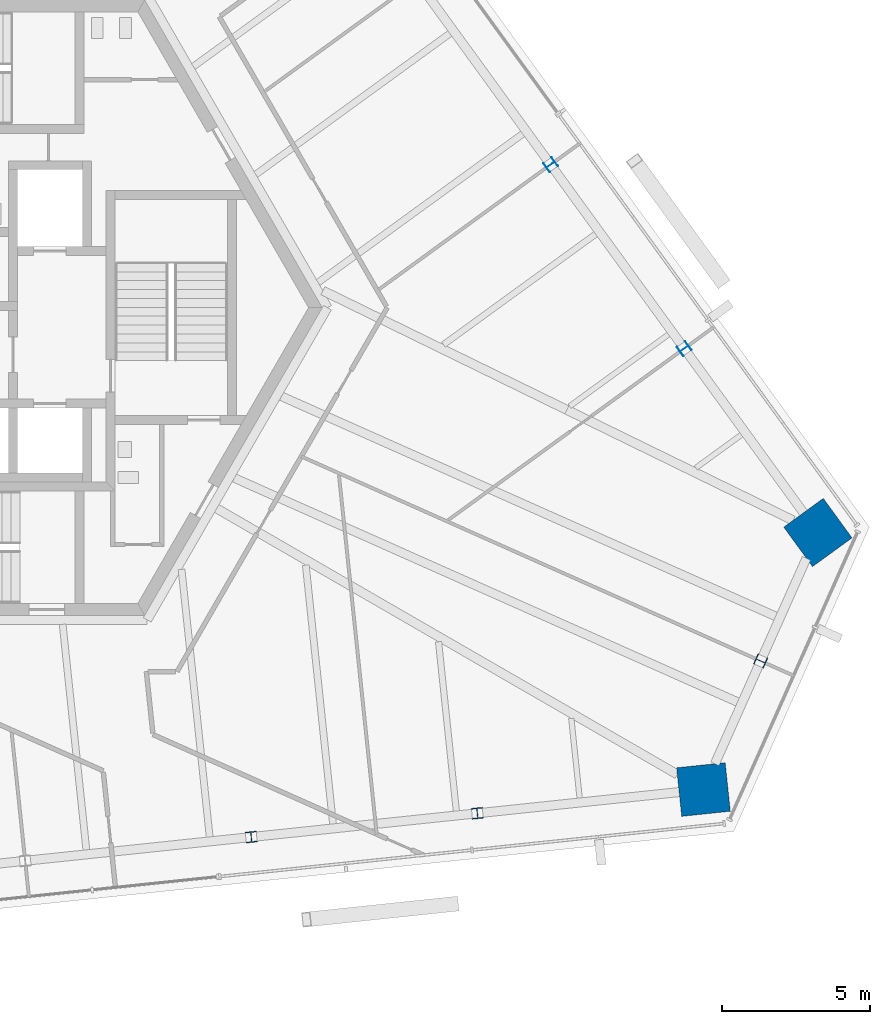
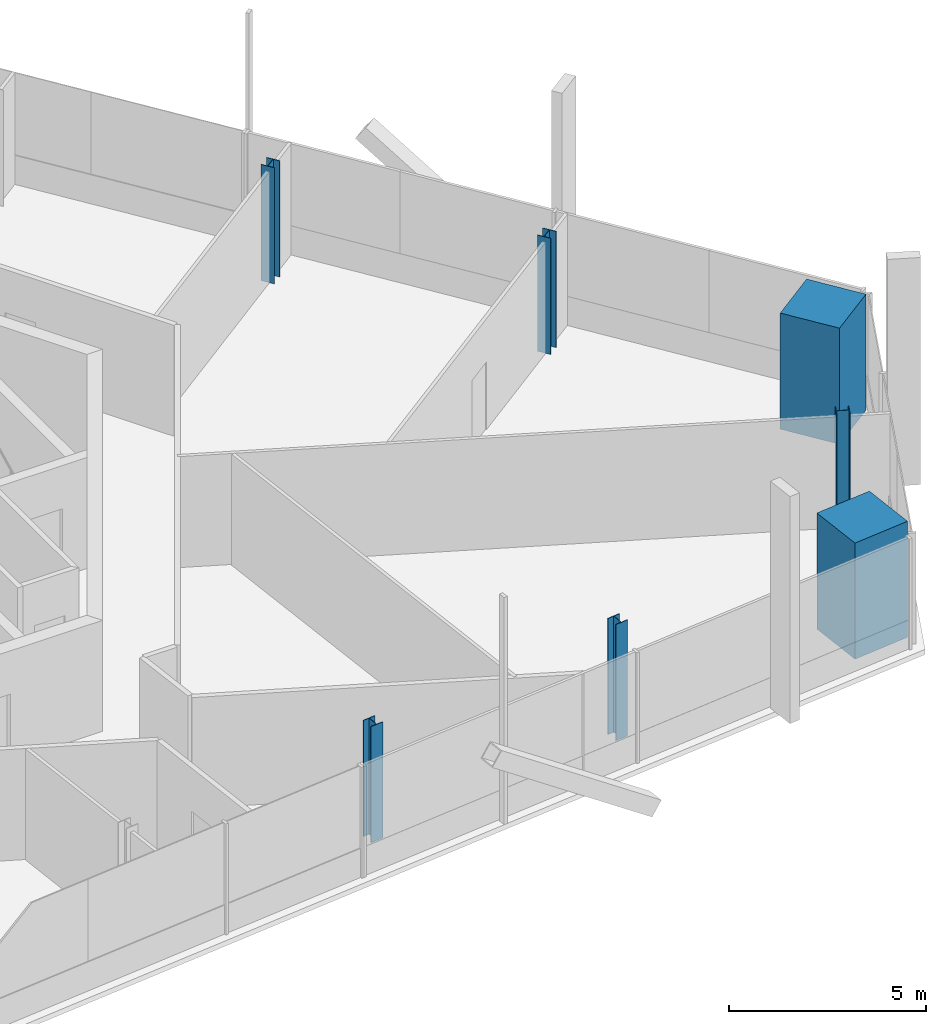
# One storey, part 2 of 20: 7 columns.
"""IFC4 building model written with IfcOpenShell, lengths in metres."""

from ifc_helpers import new_model, si_unit, direction, frame, origin, origin_2d, place, context, subcontext, project, spatial, rectangle, i_section, extrude, source, transform, mapped, material, material_profile, profile_set, type_object, element, save


model = new_model("IFC4")

# Units and contexts
model_context = context("Model", 3, precision=1e-05, world=origin(), true_north=direction((0.0, 1.0)))
body_context = subcontext(model_context, "Body", "Model", "MODEL_VIEW")
ifc_project = project(units=[si_unit("LENGTHUNIT", "METRE"), si_unit("AREAUNIT", "SQUARE_METRE"), si_unit("VOLUMEUNIT", "CUBIC_METRE"), si_unit("PLANEANGLEUNIT", "RADIAN"), si_unit("MASSUNIT", "GRAM", prefix="KILO")], contexts=[model_context])

# Site, building, storey
site_placement = place(None, origin())
site = spatial("IfcSite", under=ifc_project, at=site_placement, CompositionType="ELEMENT")
building_placement = place(site_placement, origin())
building = spatial("IfcBuilding", under=site, at=building_placement, Name="Triune Harvest Tower", CompositionType="ELEMENT")
storey_placement = place(building_placement, frame((0.0, 0.0, 226.89990234375)))
storey = spatial("IfcBuildingStorey", under=building, at=storey_placement, Name="L59", CompositionType="ELEMENT", Elevation=226.89990234375)

# Columns
ifc_material_1 = material(Name="Steel ASTM A992 Gr 50", Category="steel")
ifc_material_profile_1 = material_profile(ifc_material_1, i_section(OverallWidth=0.368408203125, OverallDepth=0.355712890625, WebThickness=0.01123046875, FlangeThickness=0.01806640625, at=origin_2d()), Name="W14x90")
ifc_profile_set_1 = profile_set([ifc_material_profile_1], Name="Steel ASTM A992 Gr 50")
column_type_1 = type_object("IfcColumnType", Name="PC-6 Perimeter column W14x90", PredefinedType="COLUMN", material=ifc_profile_set_1)
shared_shape_1 = source(origin(), body_context, "Body", "SweptSolid", [
    extrude(i_section(OverallWidth=0.368408203125, OverallDepth=0.355712890625, WebThickness=0.01123046875, FlangeThickness=0.01806640625, at=origin_2d()), origin(), (0.0, 0.0, 1.0), 3.60009765625),
])
for number, where, z_axis, x_axis, name in (
    (1, (24.2275390625, -1.38232421875, 0.0), (0.0, 0.0, 1.0), (-0.587785252292, 0.809016994375, 0.0), "col/L59/P1"),
    (2, (19.713623046875, 4.83056640625, 0.0), (0.0, 0.0, 1.0), (-0.587785252292, 0.809016994375, 0.0), "col/L59/P2"),
    (3, (9.601318359375, -17.88232421875, 0.0), (0.0, 0.0, 1.0), (0.99452171293, 0.104530199036, 0.0), "col/L59/P20"),
    (4, (17.238525390625, -17.07958984375, 0.0), (0.0, 0.0, 1.0), (0.99452171293, 0.104530199036, 0.0), "col/L59/P21"),
    (5, (26.80859375, -11.93603515625, 0.0), (0.0, 0.0, 1.0), (0.406741426383, 0.913543327962, 0.0), "col/L59/P23"),
):
    element("IfcColumn", number, at=place(storey_placement, frame(where, z_axis=z_axis, x_axis=x_axis)), inside=storey, type_object=column_type_1, Name=name, PredefinedType="COLUMN", context=body_context, shape_type="MappedRepresentation", body=[
        mapped(shared_shape_1, transform((0.0, 0.0, 0.0), scale=1.0)),
    ])
ifc_material_2 = material(Name="Concrete 70 MPa", Category="concrete")
ifc_material_profile_2 = material_profile(ifc_material_2, rectangle(XDim=1.64990234375, YDim=1.64990234375, at=origin_2d()), Name="Composite 1650x1650")
ifc_profile_set_2 = profile_set([ifc_material_profile_2], Name="Concrete 70 MPa")
column_type_2 = type_object("IfcColumnType", Name="MC-6 Mega column Composite 1650x1650", PredefinedType="COLUMN", material=ifc_profile_set_2)
shared_shape_2 = source(origin(), body_context, "Body", "SweptSolid", [
    extrude(rectangle(XDim=1.64990234375, YDim=1.64990234375, at=origin_2d()), origin(), (0.0, 0.0, 1.0), 3.60009765625),
])
for number, where, z_axis, x_axis, name in (
    (6, (28.741455078125, -7.59521484375, 0.0), (0.0, 0.0, 1.0), (-0.587785252292, 0.809016994375, 0.0), "col/L59/M0"),
    (7, (24.8759765625, -16.27685546875, 0.0), (0.0, 0.0, 1.0), (0.99452171293, 0.104530199036, 0.0), "col/L59/M22"),
):
    element("IfcColumn", number, at=place(storey_placement, frame(where, z_axis=z_axis, x_axis=x_axis)), inside=storey, type_object=column_type_2, Name=name, PredefinedType="COLUMN", context=body_context, shape_type="MappedRepresentation", body=[
        mapped(shared_shape_2, transform((0.0, 0.0, 0.0), scale=1.0)),
    ])

save(model, "model.ifc")
